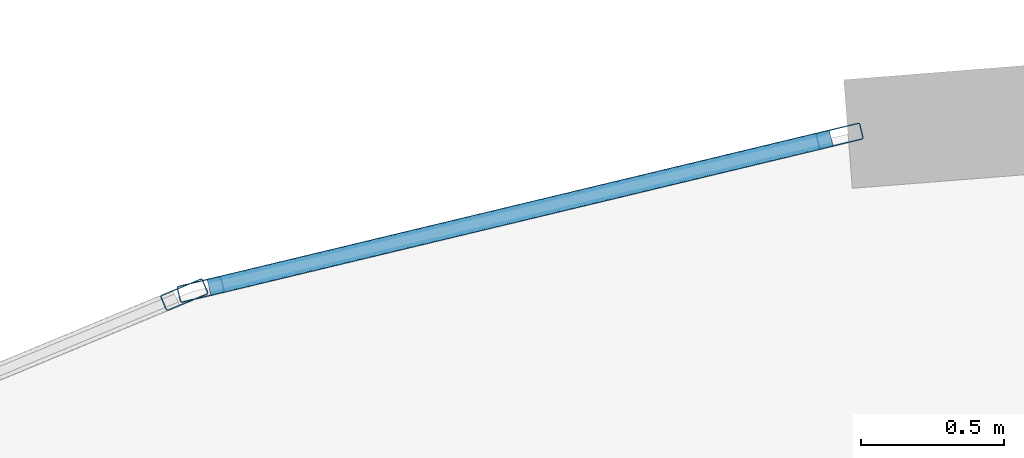
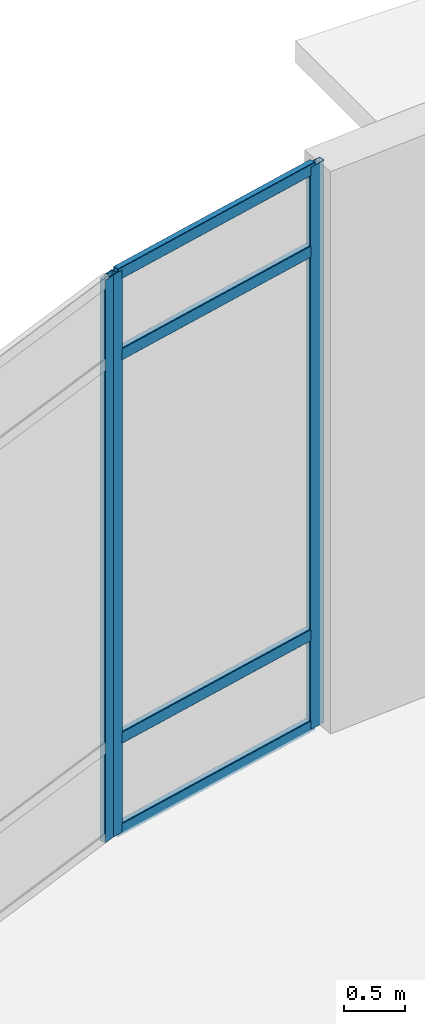
# One storey, part 18 of 82: 7 members, 2 elements without a shape of their own.
"""IFC4 building model written with IfcOpenShell, lengths in metres."""

from ifc_helpers import new_model, si_unit, derived_unit, direction, frame, origin, origin_2d, place, context, subcontext, project, spatial, hollow_rectangle, extrude, material, layer, layer_set, material_profile, profile_set, type_object, element, aggregate, save


model = new_model("IFC4")

# Units and contexts
model_context = context("Model", 3, precision=1e-05, world=origin(), true_north=direction((0.0, 1.0)))
body_context = subcontext(model_context, "Body", "Model", "MODEL_VIEW")
ifc_project = project(units=[si_unit("LENGTHUNIT", "METRE"), si_unit("AREAUNIT", "SQUARE_METRE"), si_unit("VOLUMEUNIT", "CUBIC_METRE"), si_unit("PLANEANGLEUNIT", "RADIAN"), si_unit("MASSUNIT", "GRAM", prefix="KILO"), derived_unit("THERMALTRANSMITTANCEUNIT", [(si_unit("MASSUNIT", "GRAM", prefix="KILO"), 1), (si_unit("TIMEUNIT", "SECOND"), -3), (si_unit("THERMODYNAMICTEMPERATUREUNIT", "KELVIN"), -1)])], contexts=[model_context])

# Site, building, storey
site_placement = place(None, origin())
site = spatial("IfcSite", under=ifc_project, at=site_placement, CompositionType="ELEMENT")
building_placement = place(site_placement, origin())
building = spatial("IfcBuilding", under=site, at=building_placement, Name="Qinzheling Arcade Emporium", CompositionType="ELEMENT")
storey_placement = place(building_placement, origin())
storey = spatial("IfcBuildingStorey", under=building, at=storey_placement, Name="L01", CompositionType="ELEMENT", Elevation=0.0)

# Curtain wall, member
ifc_material_1 = material(Name="Anodised aluminium and solar-control double glazing", Category="aluminium")
ifc_layer = layer(ifc_material_1, 0.159912109375, Name="Anodised aluminium and solar-control double glazing", Category="aluminium")
ifc_layer_set = layer_set([ifc_layer], Name="Anodised aluminium and solar-control double glazing")
curtain_wall_type = type_object("IfcCurtainWallType", Name="Curved Ribbon Sales Curtain Wall", PredefinedType="NOTDEFINED", material=ifc_layer_set)
curtain_wall_1_placement = place(storey_placement, origin())
curtain_wall_1 = element("IfcCurtainWall", 1, at=curtain_wall_1_placement, inside=storey, type_object=curtain_wall_type, Name="Curtain Wall CW-L01-025", PredefinedType="NOTDEFINED")
ifc_material_2 = material(Name="Anodised aluminium 6063-T6", Category="aluminium")
ifc_material_profile_1 = material_profile(ifc_material_2, hollow_rectangle(XDim=0.06005859375, YDim=0.159912109375, WallThickness=0.00390625, InnerFilletRadius=0.00390625, OuterFilletRadius=0.008056640625, at=origin_2d()), Name="RHS 160x60x4", Category="aluminium")
ifc_profile_set_1 = profile_set([ifc_material_profile_1], Name="Anodised aluminium 6063-T6")
member_type_1 = type_object("IfcMemberType", Name="Curtain Wall Mullion RHS160x60", PredefinedType="MULLION", material=ifc_profile_set_1)
member_1_placement = place(storey_placement, frame((19.037353515625, 64.654541015625, 0.0), z_axis=(0.0, 0.0, 1.0), x_axis=(-0.382714431752, 0.923866691535, 0.0)))
member_1 = element("IfcMember", 2, at=member_1_placement, type_object=member_type_1, Name="CW02 mullion 2", PredefinedType="MULLION", context=body_context, shape_type="SweptSolid", body=[
    extrude(hollow_rectangle(XDim=0.06005859375, YDim=0.159912109375, WallThickness=0.00390625, InnerFilletRadius=0.00390625, OuterFilletRadius=0.008056640625, at=origin_2d()), origin(), (0.0, 0.0, 1.0), 5.659912109375),
])
aggregate(curtain_wall_1, [member_1])

# Curtain wall, members
curtain_wall_2_placement = place(storey_placement, origin())
curtain_wall_2 = element("IfcCurtainWall", 3, at=curtain_wall_2_placement, inside=storey, type_object=curtain_wall_type, Name="Curtain Wall CW-L01-026", PredefinedType="NOTDEFINED")
member_2_placement = place(storey_placement, frame((19.09423828125, 64.673095703125, 0.0), z_axis=(0.0, 0.0, 1.0), x_axis=(-0.233324729854, 0.972398874145, 0.0)))
member_2 = element("IfcMember", 4, at=member_2_placement, type_object=member_type_1, Name="CW02 mullion 1", PredefinedType="MULLION", context=body_context, shape_type="SweptSolid", body=[
    extrude(hollow_rectangle(XDim=0.06005859375, YDim=0.159912109375, WallThickness=0.00390625, InnerFilletRadius=0.00390625, OuterFilletRadius=0.008056640625, at=origin_2d()), origin(), (0.0, 0.0, 1.0), 5.659912109375),
])
member_3_placement = place(storey_placement, frame((21.32373046875, 65.2080078125, 0.0), z_axis=(0.0, 0.0, 1.0), x_axis=(-0.233324729854, 0.972398874145, 0.0)))
member_3 = element("IfcMember", 5, at=member_3_placement, type_object=member_type_1, Name="CW02 mullion 2", PredefinedType="MULLION", context=body_context, shape_type="SweptSolid", body=[
    extrude(hollow_rectangle(XDim=0.06005859375, YDim=0.159912109375, WallThickness=0.00390625, InnerFilletRadius=0.00390625, OuterFilletRadius=0.008056640625, at=origin_2d()), origin(), (0.0, 0.0, 1.0), 5.659912109375),
])
ifc_material_profile_2 = material_profile(ifc_material_2, hollow_rectangle(XDim=0.06005859375, YDim=0.1201171875, WallThickness=0.00390625, InnerFilletRadius=0.00390625, OuterFilletRadius=0.008056640625, at=origin_2d()), Name="RHS 120x60x4", Category="aluminium")
ifc_profile_set_2 = profile_set([ifc_material_profile_2], Name="Anodised aluminium 6063-T6")
member_type_2 = type_object("IfcMemberType", Name="Curtain Wall Transom RHS120x60", PredefinedType="USERDEFINED", material=ifc_profile_set_2)
member_4_placement = place(storey_placement, frame((19.123291015625, 64.679931640625, 0.030029296875), z_axis=(0.972401194222, 0.233315060543, 0.0), x_axis=(-0.233315060543, 0.972401194222, 0.0)))
member_4 = element("IfcMember", 6, at=member_4_placement, type_object=member_type_2, Name="CW02 transom 1.1", ObjectType="TRANSOM", PredefinedType="USERDEFINED", context=body_context, shape_type="SweptSolid", body=[
    extrude(hollow_rectangle(XDim=0.06005859375, YDim=0.1201171875, WallThickness=0.00390625, InnerFilletRadius=0.00390625, OuterFilletRadius=0.008056640625, at=origin_2d()), origin(), (0.0, 0.0, 1.0), 2.23291015625),
])
member_5_placement = place(storey_placement, frame((19.123291015625, 64.679931640625, 0.949951171875), z_axis=(0.972401194222, 0.233315060543, 0.0), x_axis=(-0.233315060543, 0.972401194222, 0.0)))
member_5 = element("IfcMember", 7, at=member_5_placement, type_object=member_type_2, Name="CW02 transom 1.2", ObjectType="TRANSOM", PredefinedType="USERDEFINED", context=body_context, shape_type="SweptSolid", body=[
    extrude(hollow_rectangle(XDim=0.06005859375, YDim=0.1201171875, WallThickness=0.00390625, InnerFilletRadius=0.00390625, OuterFilletRadius=0.008056640625, at=origin_2d()), origin(), (0.0, 0.0, 1.0), 2.23291015625),
])
member_6_placement = place(storey_placement, frame((19.123291015625, 64.679931640625, 4.81005859375), z_axis=(0.972401194222, 0.233315060543, 0.0), x_axis=(-0.233315060543, 0.972401194222, 0.0)))
member_6 = element("IfcMember", 8, at=member_6_placement, type_object=member_type_2, Name="CW02 transom 1.3", ObjectType="TRANSOM", PredefinedType="USERDEFINED", context=body_context, shape_type="SweptSolid", body=[
    extrude(hollow_rectangle(XDim=0.06005859375, YDim=0.1201171875, WallThickness=0.00390625, InnerFilletRadius=0.00390625, OuterFilletRadius=0.008056640625, at=origin_2d()), origin(), (0.0, 0.0, 1.0), 2.23291015625),
])
member_7_placement = place(storey_placement, frame((19.123291015625, 64.679931640625, 5.6298828125), z_axis=(0.972401194222, 0.233315060543, 0.0), x_axis=(-0.233315060543, 0.972401194222, 0.0)))
member_7 = element("IfcMember", 9, at=member_7_placement, type_object=member_type_2, Name="CW02 transom 1.4", ObjectType="TRANSOM", PredefinedType="USERDEFINED", context=body_context, shape_type="SweptSolid", body=[
    extrude(hollow_rectangle(XDim=0.06005859375, YDim=0.1201171875, WallThickness=0.00390625, InnerFilletRadius=0.00390625, OuterFilletRadius=0.008056640625, at=origin_2d()), origin(), (0.0, 0.0, 1.0), 2.23291015625),
])
aggregate(curtain_wall_2, [member_2, member_3, member_4, member_5, member_6, member_7])

save(model, "model.ifc")
